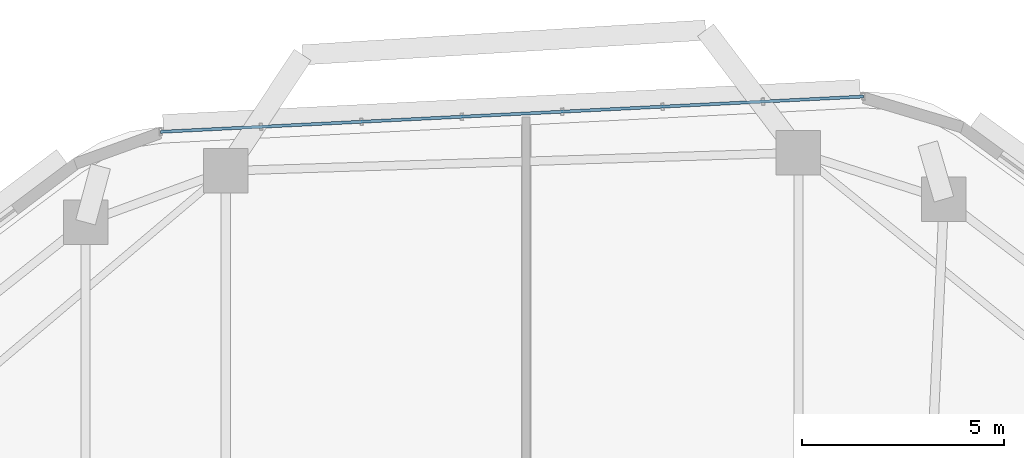
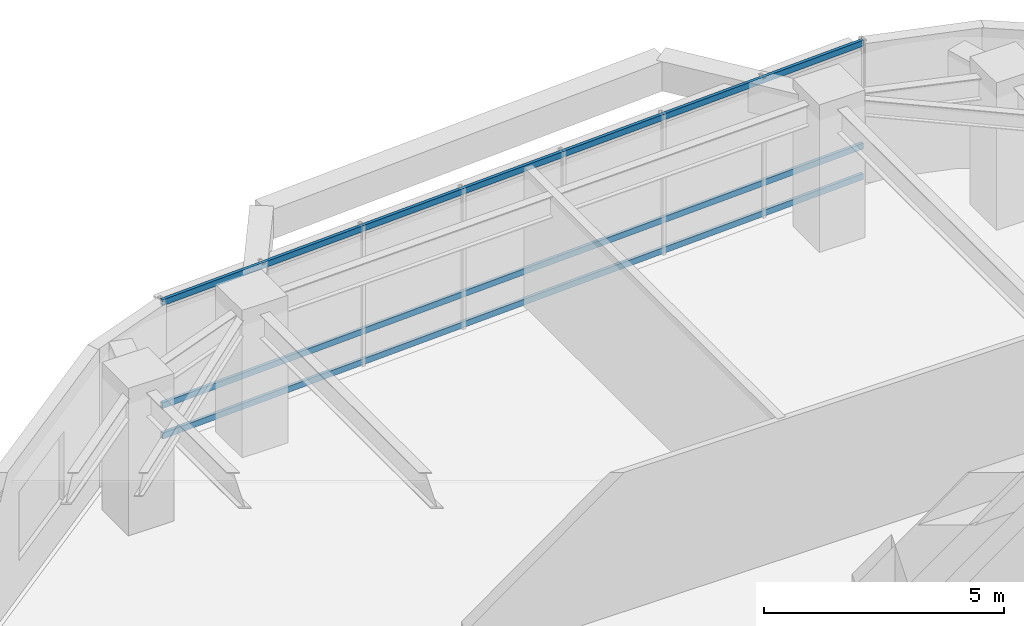
# One storey, part 3 of 14: 3 members, 1 element without a shape of its own.
"""IFC4 building model written with IfcOpenShell, lengths in metres."""

import ifcopenshell
import ifcopenshell.guid

model = None  # the IFC model being written
_history = None  # IfcOwnerHistory: only IFC2X3 demands one
_inside = {}  # id of a spatial element -> (the spatial element, [elements in it])
_under = {}  # id of a project, library or spatial element -> (it, [spatial elements below it])
_declared = {}  # id of a project -> (the project, [libraries it declares])
_typed = {}  # id of a type object -> (the type object, [elements of that type])
_made_of = {}  # id of a material, layer set ... -> (it, [elements and type objects made of it])


def new_model(schema):
    """Start an empty IFC model of exactly this schema.

    Asked for "IFC4X3", IfcOpenShell would pick the latest addendum, in which some entities
    have other attributes; the version numbers below select the first issue.
    IFC2X3 requires an IfcOwnerHistory on every rooted entity: one is made here for all.
    """
    global model, _history
    if schema == "IFC4X3":
        model = ifcopenshell.file(schema_version=(4, 3, 0, 0))
    else:
        model = ifcopenshell.file(schema=schema)
    _inside.clear()
    _under.clear()
    _declared.clear()
    _typed.clear()
    _made_of.clear()
    _history = None
    if model.schema == "IFC2X3":
        org = make("IfcOrganization", Name="unknown")
        user = make(
            "IfcPersonAndOrganization",
            ThePerson=make("IfcPerson", FamilyName="unknown"),
            TheOrganization=org,
        )
        app = make(
            "IfcApplication",
            ApplicationDeveloper=org,
            Version="unknown",
            ApplicationFullName="unknown",
            ApplicationIdentifier="unknown",
        )
        _history = make(
            "IfcOwnerHistory",
            OwningUser=user,
            OwningApplication=app,
            ChangeAction="ADDED",
            CreationDate=0,
        )
    return model


def make(cls, **values):
    """One entity of the class cls with the attributes given. An attribute that is None is left unset."""
    return model.create_entity(
        cls, **{name: value for name, value in values.items() if value is not None}
    )


def rooted(cls, **values):
    """An entity with a GlobalId (a new one), such as an element, a storey or a relation."""
    return make(cls, GlobalId=ifcopenshell.guid.new(), OwnerHistory=_history, **values)


def si_unit(unit_type, name, prefix=None):
    """IfcSIUnit, for example si_unit("LENGTHUNIT", "METRE", prefix="MILLI")."""
    return make("IfcSIUnit", UnitType=unit_type, Prefix=prefix, Name=name)


def assignment(units):
    """IfcUnitAssignment: the units of a project."""
    return None if units is None else make("IfcUnitAssignment", Units=units)


def point(xyz):
    """IfcCartesianPoint."""
    return None if xyz is None else make("IfcCartesianPoint", Coordinates=xyz)


def direction(xyz):
    """IfcDirection."""
    return None if xyz is None else make("IfcDirection", DirectionRatios=xyz)


def frame(location, z_axis=None, x_axis=None):
    """IfcAxis2Placement3D, a coordinate frame: its origin and axes. An axis left out is left unset."""
    return make(
        "IfcAxis2Placement3D",
        Location=point(location),
        Axis=direction(z_axis),
        RefDirection=direction(x_axis),
    )


def frame_2d(location, x_axis=None):
    """IfcAxis2Placement2D, a coordinate frame in the plane: its origin and x axis."""
    return make(
        "IfcAxis2Placement2D", Location=point(location), RefDirection=direction(x_axis)
    )


def origin():
    """The frame at (0, 0, 0) with its axes left unset."""
    return frame((0.0, 0.0, 0.0))


def origin_2d():
    """The frame at (0, 0) in the plane with its x axis left unset."""
    return frame_2d((0.0, 0.0))


def place(relative_to, where):
    """IfcLocalPlacement: puts the frame where relative to a parent placement (None: the world)."""
    return make(
        "IfcLocalPlacement", PlacementRelTo=relative_to, RelativePlacement=where
    )


def context(
    kind, dimensions, precision=None, world=None, true_north=None, identifier=None
):
    """IfcGeometricRepresentationContext, for example the 3D "Model" context."""
    return make(
        "IfcGeometricRepresentationContext",
        ContextIdentifier=identifier,
        ContextType=kind,
        CoordinateSpaceDimension=dimensions,
        Precision=precision,
        WorldCoordinateSystem=world,
        TrueNorth=true_north,
    )


def subcontext(parent, identifier, kind, view, scale=None):
    """IfcGeometricRepresentationSubContext, for example "Body" below "Model"."""
    return make(
        "IfcGeometricRepresentationSubContext",
        ContextIdentifier=identifier,
        ContextType=kind,
        ParentContext=parent,
        TargetScale=scale,
        TargetView=view,
    )


def project(units=None, contexts=None):
    """IfcProject with its units and contexts."""
    return rooted(
        "IfcProject",
        Name="project",
        RepresentationContexts=contexts,
        UnitsInContext=assignment(units),
    )


def spatial(cls, under=None, at=None, **own):
    """A site, building, storey or space (cls), placed at a placement, below another one or the project."""
    s = rooted(cls, ObjectPlacement=at, **own)
    if under is not None:
        _under.setdefault(under.id(), (under, []))[1].append(s)
    return s


def profile(cls, at=None, kind="AREA", **sizes):
    """A parametric profile (cls). Its sizes go by their IFC names, for example OverallWidth=200.0."""
    return make(cls, ProfileType=kind, Position=at, **sizes)


def hollow_rectangle(**sizes):
    """IfcRectangleHollowProfileDef."""
    return profile("IfcRectangleHollowProfileDef", **sizes)


def extrude(swept, where, along, depth):
    """IfcExtrudedAreaSolid: the profile swept, set in the frame where, extruded along a direction by depth."""
    return make(
        "IfcExtrudedAreaSolid",
        SweptArea=swept,
        Position=where,
        ExtrudedDirection=direction(along),
        Depth=depth,
    )


def shape(context_of_items, identifier, shape_type, items):
    """IfcShapeRepresentation: the items that make up one representation, for example the "Body"."""
    return make(
        "IfcShapeRepresentation",
        ContextOfItems=context_of_items,
        RepresentationIdentifier=identifier,
        RepresentationType=shape_type,
        Items=items,
    )


def material(Name=None, Category=None):
    """IfcMaterial."""
    return make("IfcMaterial", Name=Name, Category=Category)


def material_profile(
    of_material, cross_section, Name=None, Category=None, Priority=None
):
    """IfcMaterialProfile: a cross section and its material."""
    return make(
        "IfcMaterialProfile",
        Name=Name,
        Material=of_material,
        Profile=cross_section,
        Priority=Priority,
        Category=Category,
    )


def profile_set(profiles, Name=None, composite=None):
    """IfcMaterialProfileSet."""
    return make(
        "IfcMaterialProfileSet",
        Name=Name,
        MaterialProfiles=profiles,
        CompositeProfile=composite,
    )


def made_of(thing, what):
    """Note that an element or type object is made of a material, layer set ...; save() writes the relation."""
    if what is not None:
        _made_of.setdefault(what.id(), (what, []))[1].append(thing)
    return thing


def type_object(cls, material=None, **own):
    """A type object (cls), such as IfcWallType, which elements share."""
    return made_of(rooted(cls, **own), material)


def element(
    cls,
    number,
    at=None,
    inside=None,
    cuts=None,
    type_object=None,
    material=None,
    context=None,
    identifier="Body",
    shape_type=None,
    held_by="IfcProductDefinitionShape",
    body=None,
    shapes=None,
    **own,
):
    """One element of the class cls, such as IfcWall. Its Tag is "e" and its number.

    at: its placement. inside: the storey or other place that contains it. cuts: it is an
    opening in that element (IfcRelVoidsElement). A single representation is given by context,
    identifier, shape_type and body (its items); several are given by shapes. held_by: the class
    of the entity that holds the representations. save() writes the other relations.
    """
    e = rooted(cls, Tag="e%d" % number, ObjectPlacement=at, **own)
    if body is not None:
        shapes = [shape(context, identifier, shape_type, body)]
    if shapes is not None:
        e.Representation = make(held_by, Representations=shapes)
    if inside is not None:
        _inside.setdefault(inside.id(), (inside, []))[1].append(e)
    if cuts is not None:
        rooted(
            "IfcRelVoidsElement", RelatingBuildingElement=cuts, RelatedOpeningElement=e
        )
    if type_object is not None:
        _typed.setdefault(type_object.id(), (type_object, []))[1].append(e)
    return made_of(e, material)


def aggregate(whole, parts):
    """IfcRelAggregates: a whole, such as a stair, and the parts it consists of."""
    return rooted("IfcRelAggregates", RelatingObject=whole, RelatedObjects=parts)


def save(model, path):
    """Write the relations noted so far, then the file.

    IfcRelAggregates (storeys below a building ...), IfcRelContainedInSpatialStructure (elements
    in a storey), IfcRelDefinesByType, IfcRelAssociatesMaterial and IfcRelDeclares: one each for
    every whole, place, type object, material and project.
    """
    for whole, parts in _under.values():
        aggregate(whole, parts)
    for where, things in _inside.values():
        rooted(
            "IfcRelContainedInSpatialStructure",
            RelatedElements=things,
            RelatingStructure=where,
        )
    for kind, things in _typed.values():
        rooted("IfcRelDefinesByType", RelatedObjects=things, RelatingType=kind)
    for what, things in _made_of.values():
        rooted("IfcRelAssociatesMaterial", RelatedObjects=things, RelatingMaterial=what)
    for by, libraries in _declared.values():
        rooted("IfcRelDeclares", RelatingContext=by, RelatedDefinitions=libraries)
    model.write(path)


model = new_model("IFC4")

# Units and contexts
model_context = context("Model", 3, precision=1e-05, world=origin(), true_north=direction((0.0, 1.0)))
body_context = subcontext(model_context, "Body", "Model", "MODEL_VIEW")
ifc_project = project(units=[si_unit("LENGTHUNIT", "METRE"), si_unit("AREAUNIT", "SQUARE_METRE"), si_unit("VOLUMEUNIT", "CUBIC_METRE"), si_unit("PLANEANGLEUNIT", "RADIAN"), si_unit("MASSUNIT", "GRAM", prefix="KILO")], contexts=[model_context])

# Site, building, storey
site_placement = place(None, origin())
site = spatial("IfcSite", under=ifc_project, at=site_placement, CompositionType="ELEMENT")
building_placement = place(site_placement, origin())
building = spatial("IfcBuilding", under=site, at=building_placement, Name="Zulverin Broadcast Headquarters", CompositionType="ELEMENT")
storey_placement = place(building_placement, frame((0.0, 0.0, 147.800048828125)))
storey = spatial("IfcBuildingStorey", under=building, at=storey_placement, Name="L37", CompositionType="ELEMENT", Elevation=147.800048828125)

# Curtain wall, members
ifc_material_1 = material(Name="Waist wind-pressure unitised curtain wall", Category="aluminium")
curtain_wall_type = type_object("IfcCurtainWallType", Name="CW-TWR-WST", PredefinedType="USERDEFINED", material=ifc_material_1)
curtain_wall_placement = place(storey_placement, origin())
curtain_wall = element("IfcCurtainWall", 1, at=curtain_wall_placement, inside=storey, type_object=curtain_wall_type, Name="L37 Unitised Curtain Wall CW-L37-E5", ObjectType="UNITISED CURTAIN WALL", PredefinedType="USERDEFINED")
ifc_material_2 = material(Name="Anodized pale-metal aluminium alloy 6063-T6", Category="aluminium")
ifc_material_profile = material_profile(ifc_material_2, hollow_rectangle(XDim=0.074951171875, YDim=0.14990234375, WallThickness=0.0048828125, at=origin_2d()), Name="Anodized pale-metal aluminium alloy 6063-T6", Category="aluminium")
ifc_profile_set = profile_set([ifc_material_profile], Name="Anodized pale-metal aluminium alloy 6063-T6")
member_type = type_object("IfcMemberType", Name="CW-TRN-150", PredefinedType="USERDEFINED", material=ifc_profile_set)
member_1_placement = place(storey_placement, frame((46.631103515625, 48.111083984375, 0.074951171875), z_axis=(-0.998743426162, -0.050115553463, 0.0), x_axis=(0.050115553463, -0.998743426162, 0.0)))
member_1 = element("IfcMember", 2, at=member_1_placement, type_object=member_type, Name="CW-L37-E5 Transom 0", ObjectType="TRANSOM", PredefinedType="USERDEFINED", context=body_context, shape_type="SweptSolid", body=[
    extrude(hollow_rectangle(XDim=0.074951171875, YDim=0.14990234375, WallThickness=0.0048828125, at=origin_2d()), origin(), (0.0, 0.0, 1.0), 17.381591796875),
])
member_2_placement = place(storey_placement, frame((46.631103515625, 48.111083984375, 0.849609375), z_axis=(-0.998743426162, -0.050115553463, 0.0), x_axis=(0.050115553463, -0.998743426162, 0.0)))
member_2 = element("IfcMember", 3, at=member_2_placement, type_object=member_type, Name="CW-L37-E5 Transom 1", ObjectType="TRANSOM", PredefinedType="USERDEFINED", context=body_context, shape_type="SweptSolid", body=[
    extrude(hollow_rectangle(XDim=0.074951171875, YDim=0.14990234375, WallThickness=0.0048828125, at=origin_2d()), origin(), (0.0, 0.0, 1.0), 17.381591796875),
])
member_3_placement = place(storey_placement, frame((46.631103515625, 48.111083984375, 3.46484375), z_axis=(-0.998743426162, -0.050115553463, 0.0), x_axis=(0.050115553463, -0.998743426162, 0.0)))
member_3 = element("IfcMember", 4, at=member_3_placement, type_object=member_type, Name="CW-L37-E5 Transom 2", ObjectType="TRANSOM", PredefinedType="USERDEFINED", context=body_context, shape_type="SweptSolid", body=[
    extrude(hollow_rectangle(XDim=0.074951171875, YDim=0.14990234375, WallThickness=0.0048828125, at=origin_2d()), origin(), (0.0, 0.0, 1.0), 17.381591796875),
])
aggregate(curtain_wall, [member_1, member_2, member_3])

save(model, "model.ifc")
